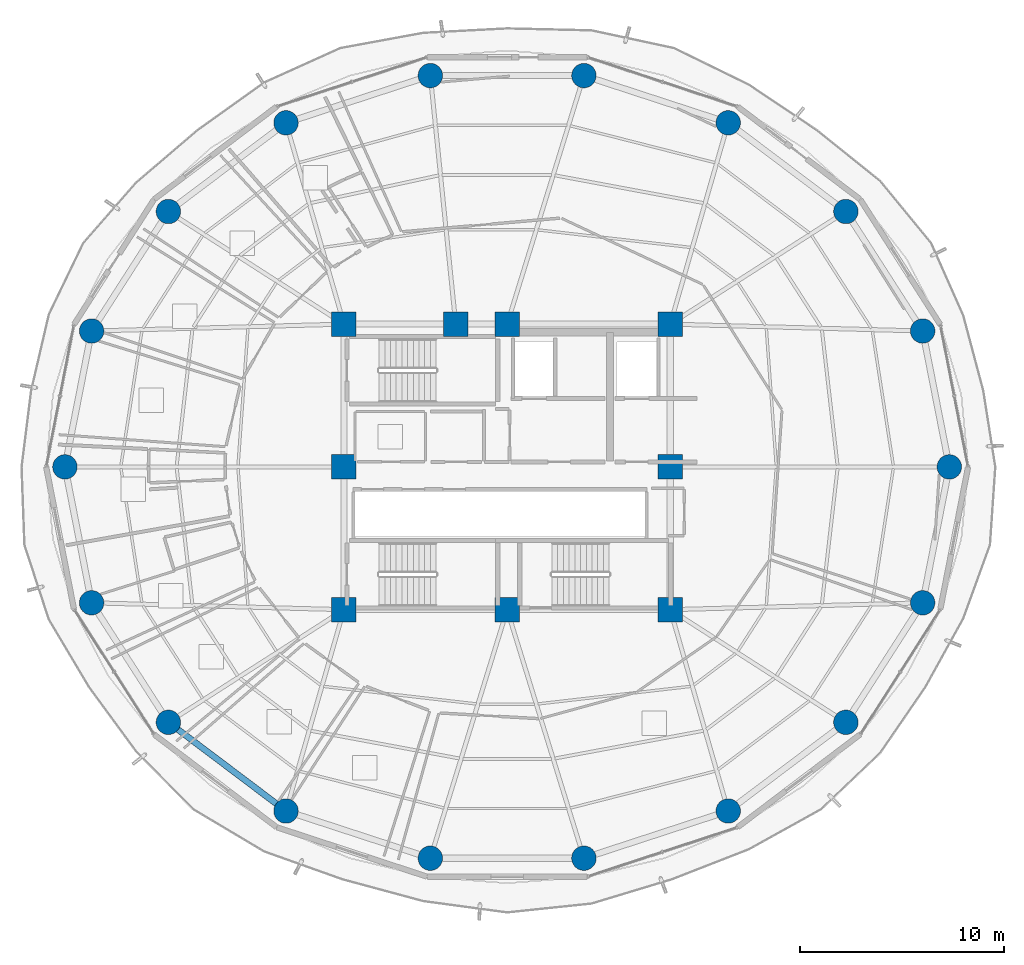
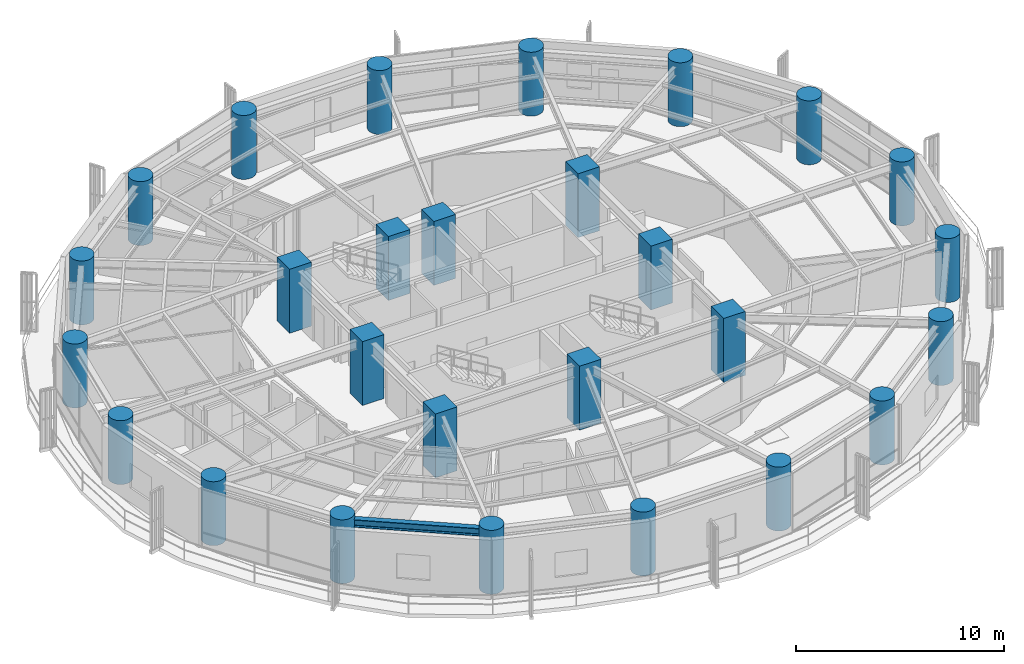
# One storey, part 1 of 28: 27 columns, 1 beam.
"""IFC4 building model written with IfcOpenShell, lengths in metres."""

import ifcopenshell
import ifcopenshell.guid

model = None  # the IFC model being written
_history = None  # IfcOwnerHistory: only IFC2X3 demands one
_inside = {}  # id of a spatial element -> (the spatial element, [elements in it])
_under = {}  # id of a project, library or spatial element -> (it, [spatial elements below it])
_declared = {}  # id of a project -> (the project, [libraries it declares])
_typed = {}  # id of a type object -> (the type object, [elements of that type])
_made_of = {}  # id of a material, layer set ... -> (it, [elements and type objects made of it])


def new_model(schema):
    """Start an empty IFC model of exactly this schema.

    Asked for "IFC4X3", IfcOpenShell would pick the latest addendum, in which some entities
    have other attributes; the version numbers below select the first issue.
    IFC2X3 requires an IfcOwnerHistory on every rooted entity: one is made here for all.
    """
    global model, _history
    if schema == "IFC4X3":
        model = ifcopenshell.file(schema_version=(4, 3, 0, 0))
    else:
        model = ifcopenshell.file(schema=schema)
    _inside.clear()
    _under.clear()
    _declared.clear()
    _typed.clear()
    _made_of.clear()
    _history = None
    if model.schema == "IFC2X3":
        org = make("IfcOrganization", Name="unknown")
        user = make(
            "IfcPersonAndOrganization",
            ThePerson=make("IfcPerson", FamilyName="unknown"),
            TheOrganization=org,
        )
        app = make(
            "IfcApplication",
            ApplicationDeveloper=org,
            Version="unknown",
            ApplicationFullName="unknown",
            ApplicationIdentifier="unknown",
        )
        _history = make(
            "IfcOwnerHistory",
            OwningUser=user,
            OwningApplication=app,
            ChangeAction="ADDED",
            CreationDate=0,
        )
    return model


def make(cls, **values):
    """One entity of the class cls with the attributes given. An attribute that is None is left unset."""
    return model.create_entity(
        cls, **{name: value for name, value in values.items() if value is not None}
    )


def rooted(cls, **values):
    """An entity with a GlobalId (a new one), such as an element, a storey or a relation."""
    return make(cls, GlobalId=ifcopenshell.guid.new(), OwnerHistory=_history, **values)


def si_unit(unit_type, name, prefix=None):
    """IfcSIUnit, for example si_unit("LENGTHUNIT", "METRE", prefix="MILLI")."""
    return make("IfcSIUnit", UnitType=unit_type, Prefix=prefix, Name=name)


def assignment(units):
    """IfcUnitAssignment: the units of a project."""
    return None if units is None else make("IfcUnitAssignment", Units=units)


def point(xyz):
    """IfcCartesianPoint."""
    return None if xyz is None else make("IfcCartesianPoint", Coordinates=xyz)


def direction(xyz):
    """IfcDirection."""
    return None if xyz is None else make("IfcDirection", DirectionRatios=xyz)


def frame(location, z_axis=None, x_axis=None):
    """IfcAxis2Placement3D, a coordinate frame: its origin and axes. An axis left out is left unset."""
    return make(
        "IfcAxis2Placement3D",
        Location=point(location),
        Axis=direction(z_axis),
        RefDirection=direction(x_axis),
    )


def frame_2d(location, x_axis=None):
    """IfcAxis2Placement2D, a coordinate frame in the plane: its origin and x axis."""
    return make(
        "IfcAxis2Placement2D", Location=point(location), RefDirection=direction(x_axis)
    )


def origin():
    """The frame at (0, 0, 0) with its axes left unset."""
    return frame((0.0, 0.0, 0.0))


def origin_2d():
    """The frame at (0, 0) in the plane with its x axis left unset."""
    return frame_2d((0.0, 0.0))


def place(relative_to, where):
    """IfcLocalPlacement: puts the frame where relative to a parent placement (None: the world)."""
    return make(
        "IfcLocalPlacement", PlacementRelTo=relative_to, RelativePlacement=where
    )


def context(
    kind, dimensions, precision=None, world=None, true_north=None, identifier=None
):
    """IfcGeometricRepresentationContext, for example the 3D "Model" context."""
    return make(
        "IfcGeometricRepresentationContext",
        ContextIdentifier=identifier,
        ContextType=kind,
        CoordinateSpaceDimension=dimensions,
        Precision=precision,
        WorldCoordinateSystem=world,
        TrueNorth=true_north,
    )


def subcontext(parent, identifier, kind, view, scale=None):
    """IfcGeometricRepresentationSubContext, for example "Body" below "Model"."""
    return make(
        "IfcGeometricRepresentationSubContext",
        ContextIdentifier=identifier,
        ContextType=kind,
        ParentContext=parent,
        TargetScale=scale,
        TargetView=view,
    )


def project(units=None, contexts=None):
    """IfcProject with its units and contexts."""
    return rooted(
        "IfcProject",
        Name="project",
        RepresentationContexts=contexts,
        UnitsInContext=assignment(units),
    )


def spatial(cls, under=None, at=None, **own):
    """A site, building, storey or space (cls), placed at a placement, below another one or the project."""
    s = rooted(cls, ObjectPlacement=at, **own)
    if under is not None:
        _under.setdefault(under.id(), (under, []))[1].append(s)
    return s


def profile(cls, at=None, kind="AREA", **sizes):
    """A parametric profile (cls). Its sizes go by their IFC names, for example OverallWidth=200.0."""
    return make(cls, ProfileType=kind, Position=at, **sizes)


def rectangle(**sizes):
    """IfcRectangleProfileDef."""
    return profile("IfcRectangleProfileDef", **sizes)


def circle(**sizes):
    """IfcCircleProfileDef."""
    return profile("IfcCircleProfileDef", **sizes)


def i_section(**sizes):
    """IfcIShapeProfileDef."""
    return profile("IfcIShapeProfileDef", **sizes)


def extrude(swept, where, along, depth):
    """IfcExtrudedAreaSolid: the profile swept, set in the frame where, extruded along a direction by depth."""
    return make(
        "IfcExtrudedAreaSolid",
        SweptArea=swept,
        Position=where,
        ExtrudedDirection=direction(along),
        Depth=depth,
    )


def shape(context_of_items, identifier, shape_type, items):
    """IfcShapeRepresentation: the items that make up one representation, for example the "Body"."""
    return make(
        "IfcShapeRepresentation",
        ContextOfItems=context_of_items,
        RepresentationIdentifier=identifier,
        RepresentationType=shape_type,
        Items=items,
    )


def material(Name=None, Category=None):
    """IfcMaterial."""
    return make("IfcMaterial", Name=Name, Category=Category)


def material_profile(
    of_material, cross_section, Name=None, Category=None, Priority=None
):
    """IfcMaterialProfile: a cross section and its material."""
    return make(
        "IfcMaterialProfile",
        Name=Name,
        Material=of_material,
        Profile=cross_section,
        Priority=Priority,
        Category=Category,
    )


def profile_set(profiles, Name=None, composite=None):
    """IfcMaterialProfileSet."""
    return make(
        "IfcMaterialProfileSet",
        Name=Name,
        MaterialProfiles=profiles,
        CompositeProfile=composite,
    )


def made_of(thing, what):
    """Note that an element or type object is made of a material, layer set ...; save() writes the relation."""
    if what is not None:
        _made_of.setdefault(what.id(), (what, []))[1].append(thing)
    return thing


def type_object(cls, material=None, **own):
    """A type object (cls), such as IfcWallType, which elements share."""
    return made_of(rooted(cls, **own), material)


def element(
    cls,
    number,
    at=None,
    inside=None,
    cuts=None,
    type_object=None,
    material=None,
    context=None,
    identifier="Body",
    shape_type=None,
    held_by="IfcProductDefinitionShape",
    body=None,
    shapes=None,
    **own,
):
    """One element of the class cls, such as IfcWall. Its Tag is "e" and its number.

    at: its placement. inside: the storey or other place that contains it. cuts: it is an
    opening in that element (IfcRelVoidsElement). A single representation is given by context,
    identifier, shape_type and body (its items); several are given by shapes. held_by: the class
    of the entity that holds the representations. save() writes the other relations.
    """
    e = rooted(cls, Tag="e%d" % number, ObjectPlacement=at, **own)
    if body is not None:
        shapes = [shape(context, identifier, shape_type, body)]
    if shapes is not None:
        e.Representation = make(held_by, Representations=shapes)
    if inside is not None:
        _inside.setdefault(inside.id(), (inside, []))[1].append(e)
    if cuts is not None:
        rooted(
            "IfcRelVoidsElement", RelatingBuildingElement=cuts, RelatedOpeningElement=e
        )
    if type_object is not None:
        _typed.setdefault(type_object.id(), (type_object, []))[1].append(e)
    return made_of(e, material)


def aggregate(whole, parts):
    """IfcRelAggregates: a whole, such as a stair, and the parts it consists of."""
    return rooted("IfcRelAggregates", RelatingObject=whole, RelatedObjects=parts)


def save(model, path):
    """Write the relations noted so far, then the file.

    IfcRelAggregates (storeys below a building ...), IfcRelContainedInSpatialStructure (elements
    in a storey), IfcRelDefinesByType, IfcRelAssociatesMaterial and IfcRelDeclares: one each for
    every whole, place, type object, material and project.
    """
    for whole, parts in _under.values():
        aggregate(whole, parts)
    for where, things in _inside.values():
        rooted(
            "IfcRelContainedInSpatialStructure",
            RelatedElements=things,
            RelatingStructure=where,
        )
    for kind, things in _typed.values():
        rooted("IfcRelDefinesByType", RelatedObjects=things, RelatingType=kind)
    for what, things in _made_of.values():
        rooted("IfcRelAssociatesMaterial", RelatedObjects=things, RelatingMaterial=what)
    for by, libraries in _declared.values():
        rooted("IfcRelDeclares", RelatingContext=by, RelatedDefinitions=libraries)
    model.write(path)


model = new_model("IFC4")

# Units and contexts
model_context = context("Model", 3, precision=1e-05, world=origin(), true_north=direction((0.0, 1.0)))
body_context = subcontext(model_context, "Body", "Model", "MODEL_VIEW")
ifc_project = project(units=[si_unit("LENGTHUNIT", "METRE"), si_unit("AREAUNIT", "SQUARE_METRE"), si_unit("VOLUMEUNIT", "CUBIC_METRE"), si_unit("PLANEANGLEUNIT", "RADIAN"), si_unit("MASSUNIT", "GRAM", prefix="KILO")], contexts=[model_context])

# Site, building, storey
site_placement = place(None, origin())
site = spatial("IfcSite", under=ifc_project, at=site_placement, CompositionType="ELEMENT")
building_placement = place(site_placement, origin())
building = spatial("IfcBuilding", under=site, at=building_placement, Name="Kelanora Arch Commons", CompositionType="ELEMENT")
storey_placement = place(building_placement, frame((0.0, 0.0, 180.60009765625)))
storey = spatial("IfcBuildingStorey", under=building, at=storey_placement, Name="L46", CompositionType="ELEMENT", Elevation=180.60009765625)

# Columns
ifc_material_1 = material(Name="Concrete C50/60", Category="concrete")
ifc_material_profile_1 = material_profile(ifc_material_1, circle(Radius=0.60009765625, at=origin_2d()), Name="RCC1200")
ifc_profile_set_1 = profile_set([ifc_material_profile_1], Name="Concrete C50/60")
column_type_1 = type_object("IfcColumnType", Name="COL-PERIM-Z3", PredefinedType="COLUMN", material=ifc_profile_set_1)
for number, where, z_axis, x_axis, name in (
    (1, (95.679931640625, 58.0, 0.0), (0.0, 0.0, 1.0), (1.0, 0.0, 0.0), "Perimeter Ring Column CP-00 L46"),
    (2, (94.37255859375, 64.66259765625, 0.0), (0.0, 0.0, 1.0), (1.0, 0.0, 0.0), "Perimeter Ring Column CP-02 L46"),
    (3, (90.60791015625, 70.521484375, 0.0), (0.0, 0.0, 1.0), (1.0, 0.0, 0.0), "Perimeter Ring Column CP-04 L46"),
    (4, (84.840087890625, 74.8701171875, 0.0), (0.0, 0.0, 1.0), (1.0, 0.0, 0.0), "Perimeter Ring Column CP-06 L46"),
    (5, (77.7646484375, 77.18408203125, 0.0), (0.0, 0.0, 1.0), (1.0, 0.0, 0.0), "Perimeter Ring Column CP-08 L46"),
    (6, (70.2353515625, 77.18408203125, 0.0), (0.0, 0.0, 1.0), (1.0, 0.0, 0.0), "Perimeter Ring Column CP-10 L46"),
    (7, (63.159912109375, 74.8701171875, 0.0), (0.0, 0.0, 1.0), (1.0, 0.0, 0.0), "Perimeter Ring Column CP-12 L46"),
    (8, (57.39208984375, 70.521484375, 0.0), (0.0, 0.0, 1.0), (1.0, 0.0, 0.0), "Perimeter Ring Column CP-14 L46"),
    (9, (53.62744140625, 64.66259765625, 0.0), (0.0, 0.0, 1.0), (1.0, 0.0, 0.0), "Perimeter Ring Column CP-16 L46"),
    (10, (52.320068359375, 58.0, 0.0), (0.0, 0.0, 1.0), (1.0, 0.0, 0.0), "Perimeter Ring Column CP-18 L46"),
    (11, (53.62744140625, 51.33740234375, 0.0), (0.0, 0.0, 1.0), (1.0, 0.0, 0.0), "Perimeter Ring Column CP-20 L46"),
    (12, (57.39208984375, 45.478515625, 0.0), (0.0, 0.0, 1.0), (1.0, 0.0, 0.0), "Perimeter Ring Column CP-22 L46"),
    (13, (63.159912109375, 41.1298828125, 0.0), (0.0, 0.0, 1.0), (1.0, 0.0, 0.0), "Perimeter Ring Column CP-24 L46"),
    (14, (70.2353515625, 38.81591796875, 0.0), (0.0, 0.0, 1.0), (1.0, 0.0, 0.0), "Perimeter Ring Column CP-26 L46"),
    (15, (77.7646484375, 38.81591796875, 0.0), (0.0, 0.0, 1.0), (1.0, 0.0, 0.0), "Perimeter Ring Column CP-28 L46"),
    (16, (84.840087890625, 41.1298828125, 0.0), (0.0, 0.0, 1.0), (1.0, 0.0, 0.0), "Perimeter Ring Column CP-30 L46"),
    (17, (90.60791015625, 45.478515625, 0.0), (0.0, 0.0, 1.0), (1.0, 0.0, 0.0), "Perimeter Ring Column CP-32 L46"),
    (18, (94.37255859375, 51.33740234375, 0.0), (0.0, 0.0, 1.0), (1.0, 0.0, 0.0), "Perimeter Ring Column CP-34 L46"),
):
    element("IfcColumn", number, at=place(storey_placement, frame(where, z_axis=z_axis, x_axis=x_axis)), inside=storey, type_object=column_type_1, Name=name, PredefinedType="COLUMN", context=body_context, shape_type="SweptSolid", body=[
        extrude(circle(Radius=0.60009765625, at=origin_2d()), origin(), (0.0, 0.0, 1.0), 3.75),
    ])
ifc_material_2 = material(Name="Concrete C60/75", Category="concrete")
ifc_material_profile_2 = material_profile(ifc_material_2, rectangle(XDim=1.199951171875, YDim=1.199951171875, at=origin_2d()), Name="RC1200x1200")
ifc_profile_set_2 = profile_set([ifc_material_profile_2], Name="Concrete C60/75")
column_type_2 = type_object("IfcColumnType", Name="COL-PIL-MID", PredefinedType="PILASTER", material=ifc_profile_set_2)
for number, where, z_axis, x_axis, name in (
    (19, (66.0, 51.0, 0.0), (0.0, 0.0, 1.0), (1.0, 0.0, 0.0), "Core Pilaster Column CP1 L46"),
    (20, (74.0, 51.0, 0.0), (0.0, 0.0, 1.0), (1.0, 0.0, 0.0), "Core Pilaster Column CP2 L46"),
    (21, (82.0, 51.0, 0.0), (0.0, 0.0, 1.0), (1.0, 0.0, 0.0), "Core Pilaster Column CP3 L46"),
    (22, (82.0, 58.0, 0.0), (0.0, 0.0, 1.0), (1.0, 0.0, 0.0), "Core Pilaster Column CP4 L46"),
    (23, (82.0, 65.0, 0.0), (0.0, 0.0, 1.0), (1.0, 0.0, 0.0), "Core Pilaster Column CP5 L46"),
    (24, (74.0, 65.0, 0.0), (0.0, 0.0, 1.0), (1.0, 0.0, 0.0), "Core Pilaster Column CP6 L46"),
    (25, (71.47998046875, 65.0, 0.0), (0.0, 0.0, 1.0), (1.0, 0.0, 0.0), "Core Pilaster Column CP9 L46"),
    (26, (66.0, 65.0, 0.0), (0.0, 0.0, 1.0), (1.0, 0.0, 0.0), "Core Pilaster Column CP7 L46"),
    (27, (66.0, 58.0, 0.0), (0.0, 0.0, 1.0), (1.0, 0.0, 0.0), "Core Pilaster Column CP8 L46"),
):
    element("IfcColumn", number, at=place(storey_placement, frame(where, z_axis=z_axis, x_axis=x_axis)), inside=storey, type_object=column_type_2, Name=name, PredefinedType="PILASTER", context=body_context, shape_type="SweptSolid", body=[
        extrude(rectangle(XDim=1.199951171875, YDim=1.199951171875, at=origin_2d()), origin(), (0.0, 0.0, 1.0), 3.75),
    ])

# Beam
ifc_material_3 = material(Name="Steel S355", Category="steel")
ifc_material_profile_3 = material_profile(ifc_material_3, i_section(OverallWidth=0.300048828125, OverallDepth=0.449951171875, WebThickness=0.013916015625, FlangeThickness=0.02587890625, FilletRadius=0.027099609375, at=origin_2d()), Name="HEB450")
ifc_profile_set_3 = profile_set([ifc_material_profile_3], Name="Steel S355")
beam_type = type_object("IfcBeamType", Name="BM-SPN-Z3", PredefinedType="SPANDREL", material=ifc_profile_set_3)
beam_placement = place(storey_placement, frame((57.39208984375, 45.478515625, 3.264892578125), z_axis=(0.798484645564, -0.60201517489, 0.0), x_axis=(0.60201517489, 0.798484645564, 0.0)))
element("IfcBeam", 28, at=beam_placement, inside=storey, type_object=beam_type, Name="Perimeter Spandrel Beam BS-22 L46", PredefinedType="SPANDREL", context=body_context, shape_type="SweptSolid", body=[
    extrude(i_section(OverallWidth=0.300048828125, OverallDepth=0.449951171875, WebThickness=0.013916015625, FlangeThickness=0.02587890625, FilletRadius=0.027099609375, at=origin_2d()), origin(), (0.0, 0.0, 1.0), 7.223388671875),
])

save(model, "model.ifc")
